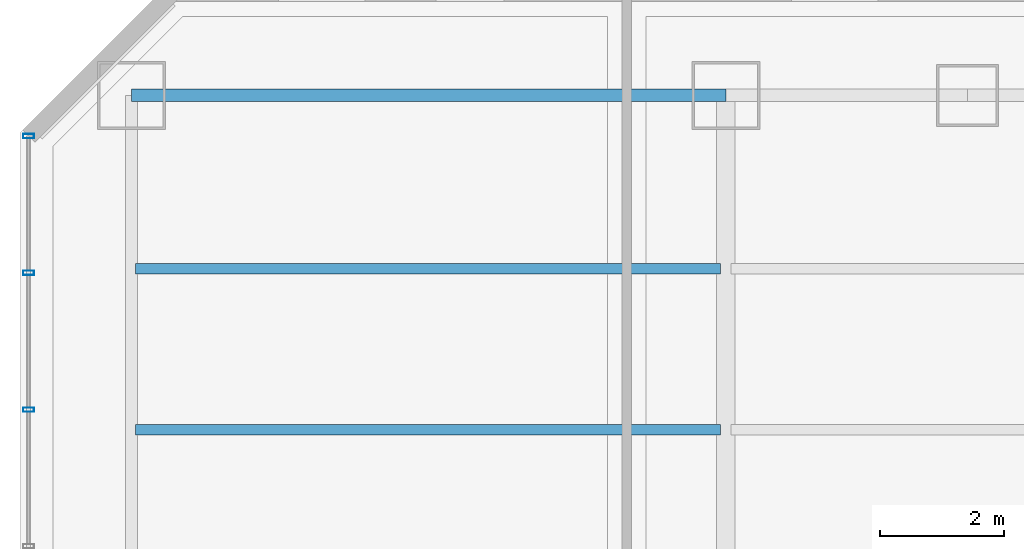
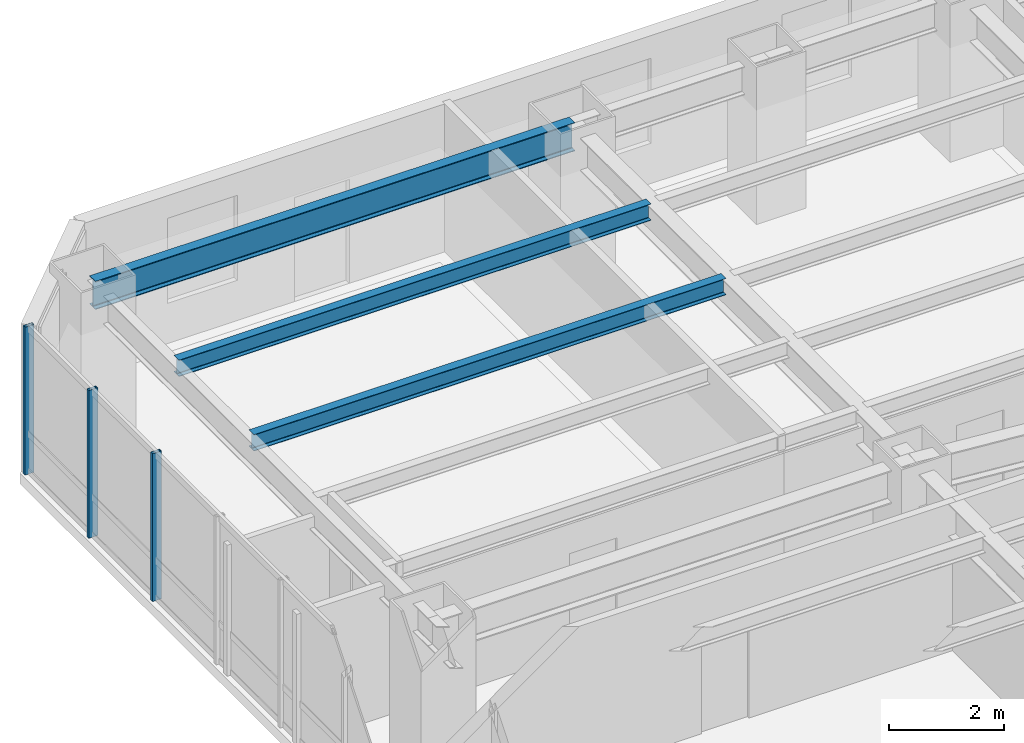
# One storey, part 16 of 33: 3 beams, 3 members, 1 element without a shape of its own.
"""IFC4 building model written with IfcOpenShell, lengths in metres."""

from ifc_helpers import new_model, si_unit, direction, frame, origin, origin_2d, place, context, subcontext, project, spatial, hollow_rectangle, i_section, extrude, material, layer, layer_set, material_profile, profile_set, type_object, element, aggregate, save


model = new_model("IFC4")

# Units and contexts
model_context = context("Model", 3, precision=1e-05, world=origin(), true_north=direction((0.0, 1.0)))
body_context = subcontext(model_context, "Body", "Model", "MODEL_VIEW")
ifc_project = project(units=[si_unit("LENGTHUNIT", "METRE"), si_unit("AREAUNIT", "SQUARE_METRE"), si_unit("VOLUMEUNIT", "CUBIC_METRE"), si_unit("PLANEANGLEUNIT", "RADIAN"), si_unit("MASSUNIT", "GRAM", prefix="KILO")], contexts=[model_context])

# Site, building, storey
site_placement = place(None, origin())
site = spatial("IfcSite", under=ifc_project, at=site_placement, CompositionType="ELEMENT")
building_placement = place(site_placement, origin())
building = spatial("IfcBuilding", under=site, at=building_placement, Name="Hatsunagi Terrace Concourse", CompositionType="ELEMENT")
storey_placement = place(building_placement, frame((0.0, 0.0, 53.35009765625)))
storey = spatial("IfcBuildingStorey", under=building, at=storey_placement, Name="L13", CompositionType="ELEMENT", Elevation=53.35009765625)

# Curtain wall, members
ifc_material_1 = material(Name="Anodised Aluminium Alloy 6063-T5", Category="aluminium")
ifc_layer = layer(ifc_material_1, 0.199951171875)
ifc_layer_set = layer_set([ifc_layer], Name="HotelFacade_CW02")
curtain_wall_type = type_object("IfcCurtainWallType", Name="HotelFacade_CW02", PredefinedType="NOTDEFINED", material=ifc_layer_set)
curtain_wall_placement = place(storey_placement, origin())
curtain_wall = element("IfcCurtainWall", 1, at=curtain_wall_placement, inside=storey, type_object=curtain_wall_type, Name="Unitised Curtain Wall CW-02 CW-L13-09", PredefinedType="NOTDEFINED")
ifc_material_2 = material(Name="Anodised Aluminium Alloy 6063-T5", Category="aluminium")
ifc_material_profile_1 = material_profile(ifc_material_2, hollow_rectangle(XDim=0.070068359375, YDim=0.179931640625, WallThickness=0.00390625, at=origin_2d()), Name="ALU-MUL-180x70x4")
ifc_profile_set_1 = profile_set([ifc_material_profile_1], Name="Anodised Aluminium Alloy 6063-T5")
member_type = type_object("IfcMemberType", Name="CurtainWallMullion_180x70", PredefinedType="MULLION", material=ifc_profile_set_1)
member_1_placement = place(storey_placement, frame((0.139892578125, 43.52490234375, 0.0), z_axis=(0.0, 0.0, 1.0), x_axis=(0.0, 1.0, 0.0)))
member_1 = element("IfcMember", 2, at=member_1_placement, type_object=member_type, Name="Curtain Wall Mullion MUL-02", PredefinedType="MULLION", context=body_context, shape_type="SweptSolid", body=[
    extrude(hollow_rectangle(XDim=0.070068359375, YDim=0.179931640625, WallThickness=0.00390625, at=origin_2d()), origin(), (0.0, 0.0, 1.0), 3.1298828125),
])
member_2_placement = place(storey_placement, frame((0.139892578125, 45.73388671875, 0.0), z_axis=(0.0, 0.0, 1.0), x_axis=(0.0, 1.0, 0.0)))
member_2 = element("IfcMember", 3, at=member_2_placement, type_object=member_type, Name="Curtain Wall Mullion MUL-02", PredefinedType="MULLION", context=body_context, shape_type="SweptSolid", body=[
    extrude(hollow_rectangle(XDim=0.070068359375, YDim=0.179931640625, WallThickness=0.00390625, at=origin_2d()), origin(), (0.0, 0.0, 1.0), 3.1298828125),
])
member_3_placement = place(storey_placement, frame((0.139892578125, 47.94189453125, 0.0), z_axis=(0.0, 0.0, 1.0), x_axis=(0.0, 1.0, 0.0)))
member_3 = element("IfcMember", 4, at=member_3_placement, type_object=member_type, Name="Curtain Wall Mullion MUL-02", PredefinedType="MULLION", context=body_context, shape_type="SweptSolid", body=[
    extrude(hollow_rectangle(XDim=0.070068359375, YDim=0.179931640625, WallThickness=0.00390625, at=origin_2d()), origin(), (0.0, 0.0, 1.0), 3.1298828125),
])
aggregate(curtain_wall, [member_1, member_2, member_3])

# Beams
ifc_material_3 = material(Name="Steel SN490B", Category="steel")
ifc_material_profile_2 = material_profile(ifc_material_3, i_section(OverallWidth=0.175048828125, OverallDepth=0.35009765625, WebThickness=0.007080078125, FlangeThickness=0.010986328125, FilletRadius=0.012939453125, at=origin_2d()), Name="H-350x175x7x11")
ifc_profile_set_2 = profile_set([ifc_material_profile_2], Name="Steel SN490B")
beam_type_1 = type_object("IfcBeamType", Name="HotelJoist_H_350x175", PredefinedType="JOIST", material=ifc_profile_set_2)
for number, where, z_axis, x_axis, name in (
    (5, (1.864990234375, 43.199951171875, 2.954833984375), (1.0, 0.0, 0.0), (0.0, 1.0, 0.0), "Beam J-02 J-L13-W-1-432"),
    (6, (1.864990234375, 45.800048828125, 2.954833984375), (1.0, 0.0, 0.0), (0.0, 1.0, 0.0), "Beam J-02 J-L13-W-1-458"),
):
    element("IfcBeam", number, at=place(storey_placement, frame(where, z_axis=z_axis, x_axis=x_axis)), inside=storey, type_object=beam_type_1, Name=name, PredefinedType="JOIST", context=body_context, shape_type="SweptSolid", body=[
        extrude(i_section(OverallWidth=0.175048828125, OverallDepth=0.35009765625, WebThickness=0.007080078125, FlangeThickness=0.010986328125, FilletRadius=0.012939453125, at=origin_2d()), origin(), (0.0, 0.0, 1.0), 9.449951171875),
    ])
ifc_material_4 = material(Name="Steel SN490B", Category="steel")
ifc_material_profile_3 = material_profile(ifc_material_4, i_section(OverallWidth=0.199951171875, OverallDepth=0.60009765625, WebThickness=0.010986328125, FlangeThickness=0.01708984375, FilletRadius=0.01806640625, at=origin_2d()), Name="H-600x200x11x17")
ifc_profile_set_3 = profile_set([ifc_material_profile_3], Name="Steel SN490B")
beam_type_2 = type_object("IfcBeamType", Name="PerimeterSpandrel_H_600x200", PredefinedType="SPANDREL", material=ifc_profile_set_3)
beam_placement = place(storey_placement, frame((1.800048828125, 48.60009765625, 2.829833984375), z_axis=(1.0, 0.0, 0.0), x_axis=(0.0, 1.0, 0.0)))
element("IfcBeam", 7, at=beam_placement, inside=storey, type_object=beam_type_2, Name="Beam SP-01 BM-L13-WN-1", PredefinedType="SPANDREL", context=body_context, shape_type="SweptSolid", body=[
    extrude(i_section(OverallWidth=0.199951171875, OverallDepth=0.60009765625, WebThickness=0.010986328125, FlangeThickness=0.01708984375, FilletRadius=0.01806640625, at=origin_2d()), origin(), (0.0, 0.0, 1.0), 9.599853515625),
])

save(model, "model.ifc")
